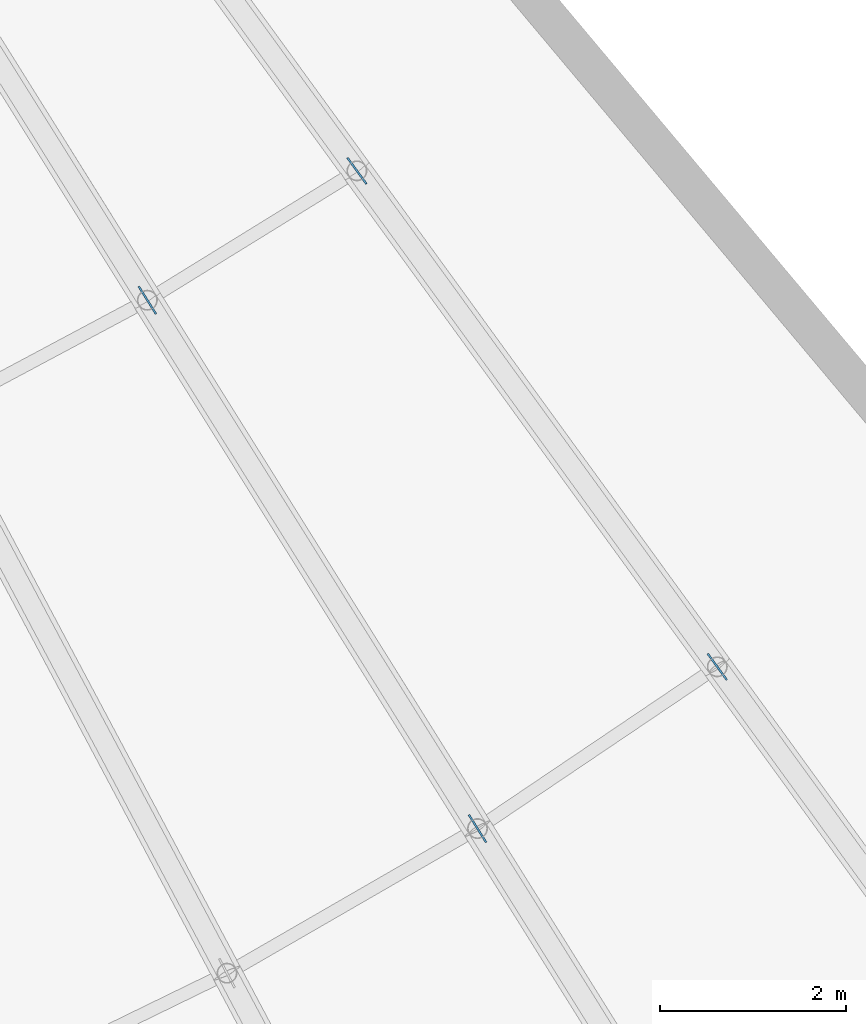
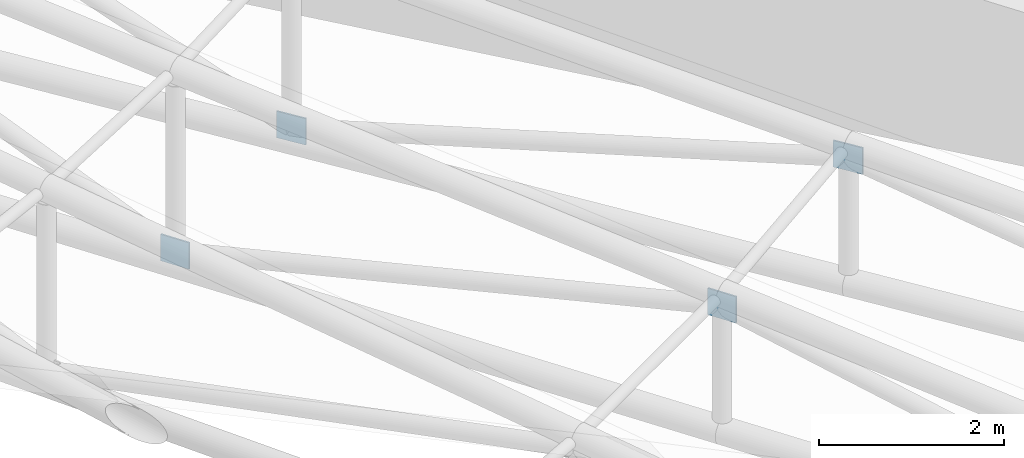
# One storey, part 135 of 163: 4 discrete accessories.
"""IFC4 building model written with IfcOpenShell, lengths in metres."""

from ifc_helpers import new_model, si_unit, direction, frame, origin, origin_2d, place, context, subcontext, project, spatial, rectangle, extrude, material, layer, layer_set, type_object, element, save


model = new_model("IFC4")

# Units and contexts
model_context = context("Model", 3, precision=1e-05, world=origin(), true_north=direction((0.0, 1.0)))
body_context = subcontext(model_context, "Body", "Model", "MODEL_VIEW")
ifc_project = project(units=[si_unit("LENGTHUNIT", "METRE"), si_unit("AREAUNIT", "SQUARE_METRE"), si_unit("VOLUMEUNIT", "CUBIC_METRE"), si_unit("PLANEANGLEUNIT", "RADIAN"), si_unit("MASSUNIT", "GRAM", prefix="KILO")], contexts=[model_context])

# Site, building, storey
site_placement = place(None, origin())
site = spatial("IfcSite", under=ifc_project, at=site_placement, CompositionType="ELEMENT")
building_placement = place(site_placement, origin())
building = spatial("IfcBuilding", under=site, at=building_placement, Name="Rain Tree Exposition and Congress Centre", CompositionType="ELEMENT")
storey_placement = place(building_placement, frame((0.0, 0.0, 10.5)))
storey = spatial("IfcBuildingStorey", under=building, at=storey_placement, Name="L02", CompositionType="ELEMENT", Elevation=10.5)

# Discrete accessories
ifc_material = material(Name="Steel plate S355J2", Category="steel")
ifc_layer = layer(ifc_material, 0.02001953125)
ifc_layer_set = layer_set([ifc_layer], Name="Steel plate S355J2")
discrete_accessory_type = type_object("IfcDiscreteAccessoryType", Name="Brace node plate 350x350x20", PredefinedType="BRACKET", material=ifc_layer_set)
for number, where, z_axis, x_axis, name in (
    (1, (225.234375, 29.377197265625, 1.635498046875), (0.0, 0.0, 1.0), (-0.529919264233, 0.848048096156, 0.0), "Brace node plate 350"),
    (2, (221.680908203125, 35.063720703125, 0.1435546875), (0.0, 0.0, 1.0), (0.529919264233, -0.848048096156, 0.0), "Brace node plate 350"),
    (3, (227.815185546875, 31.117919921875, 1.635498046875), (0.0, 0.0, 1.0), (-0.587785252292, 0.809016994375, 0.0), "Brace node plate 350"),
    (4, (223.9365234375, 36.456298828125, 0.1435546875), (0.0, 0.0, 1.0), (0.587785252292, -0.809016994375, 0.0), "Brace node plate 350"),
):
    element("IfcDiscreteAccessory", number, at=place(storey_placement, frame(where, z_axis=z_axis, x_axis=x_axis)), inside=storey, type_object=discrete_accessory_type, Name=name, PredefinedType="BRACKET", context=body_context, shape_type="SweptSolid", body=[
        extrude(rectangle(XDim=0.35009765625, YDim=0.02001953125, at=origin_2d()), origin(), (0.0, 0.0, 1.0), 0.35009765625),
    ])

save(model, "model.ifc")
